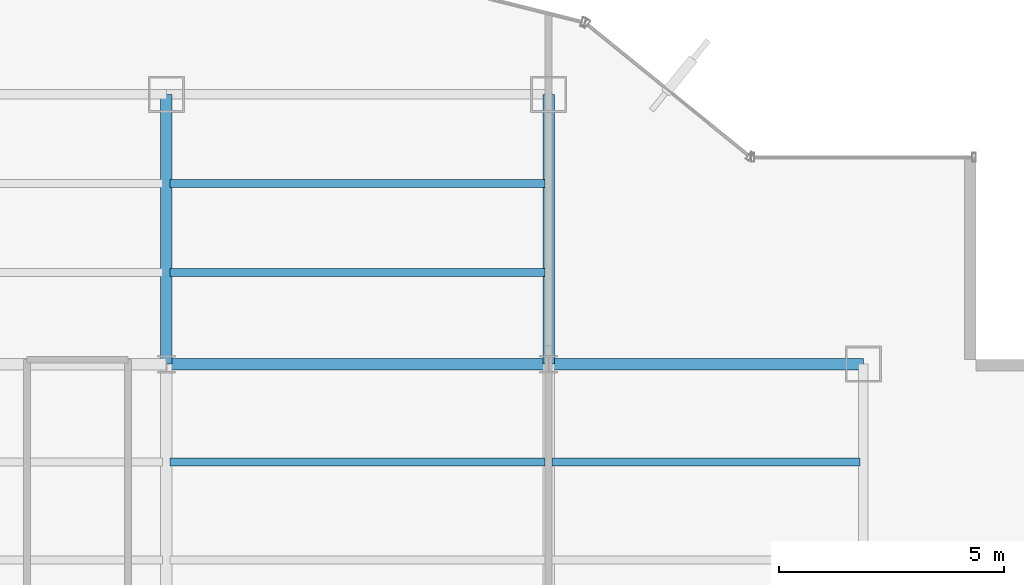
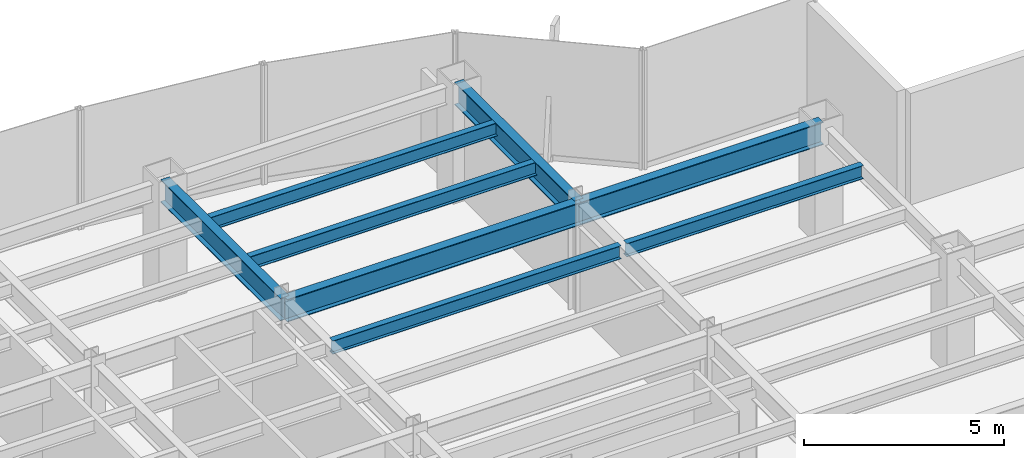
# One storey, part 17 of 26: 8 beams.
"""IFC4 building model written with IfcOpenShell, lengths in metres."""

from ifc_helpers import new_model, si_unit, derived_unit, direction, frame, origin, origin_2d, place, context, subcontext, project, spatial, i_section, extrude, source, transform, mapped, material, material_profile, profile_set, type_object, element, save


model = new_model("IFC4")

# Units and contexts
model_context = context("Model", 3, precision=1e-05, world=origin(), true_north=direction((0.0, 1.0)))
body_context = subcontext(model_context, "Body", "Model", "MODEL_VIEW")
ifc_project = project(units=[si_unit("LENGTHUNIT", "METRE"), si_unit("AREAUNIT", "SQUARE_METRE"), si_unit("VOLUMEUNIT", "CUBIC_METRE"), si_unit("PLANEANGLEUNIT", "RADIAN"), si_unit("MASSUNIT", "GRAM", prefix="KILO"), derived_unit("THERMALTRANSMITTANCEUNIT", [(si_unit("POWERUNIT", "WATT"), 1), (si_unit("LENGTHUNIT", "METRE"), -2), (si_unit("THERMODYNAMICTEMPERATUREUNIT", "KELVIN"), -1)])], contexts=[model_context])

# Site, building, storey
site_placement = place(None, origin())
site = spatial("IfcSite", under=ifc_project, at=site_placement, CompositionType="ELEMENT")
building_placement = place(site_placement, origin())
building = spatial("IfcBuilding", under=site, at=building_placement, Name="Skarnbrae Concourse Arena and Tower", CompositionType="ELEMENT")
storey_placement = place(building_placement, frame((0.0, 0.0, 99.60009765625)))
storey = spatial("IfcBuildingStorey", under=building, at=storey_placement, Name="L24", CompositionType="ELEMENT", Elevation=99.60009765625)

# Beams
ifc_material = material(Name="Steel CSA G40.21 350W", Category="steel")
ifc_material_profile_1 = material_profile(ifc_material, i_section(OverallWidth=0.256103515625, OverallDepth=0.693115234375, WebThickness=0.014404296875, FlangeThickness=0.023681640625, at=origin_2d()), Name="W690X170")
ifc_profile_set_1 = profile_set([ifc_material_profile_1], Name="Steel CSA G40.21 350W")
beam_type_1 = type_object("IfcBeamType", Name="BM-GIRD-W690X170", PredefinedType="BEAM", material=ifc_profile_set_1)
shared_shape_1 = source(origin(), body_context, "Body", "SweptSolid", [
    extrude(i_section(OverallWidth=0.256103515625, OverallDepth=0.693115234375, WebThickness=0.014404296875, FlangeThickness=0.023681640625, at=origin_2d()), origin(), (0.0, 0.0, 1.0), 7.0),
])
beam_1_placement = place(storey_placement, frame((42.0, 34.39990234375, 3.053466796875), z_axis=(1.0, 0.0, 0.0), x_axis=(0.0, 1.0, 0.0)))
element("IfcBeam", 1, at=beam_1_placement, inside=storey, type_object=beam_type_1, Name="L24 Primary E-W girder Y34.4-6", PredefinedType="BEAM", context=body_context, shape_type="MappedRepresentation", body=[
    mapped(shared_shape_1, transform((0.0, 0.0, 0.0))),
])
shared_shape_2 = source(origin(), body_context, "Body", "SweptSolid", [
    extrude(i_section(OverallWidth=0.256103515625, OverallDepth=0.693115234375, WebThickness=0.014404296875, FlangeThickness=0.023681640625, at=origin_2d()), origin(), (0.0, 0.0, 1.0), 8.5),
])
beam_2_placement = place(storey_placement, frame((33.5, 34.39990234375, 3.053466796875), z_axis=(1.0, 0.0, 0.0), x_axis=(0.0, 1.0, 0.0)))
element("IfcBeam", 2, at=beam_2_placement, inside=storey, type_object=beam_type_1, Name="L24 Primary E-W girder Y34.4-5", PredefinedType="BEAM", context=body_context, shape_type="MappedRepresentation", body=[
    mapped(shared_shape_2, transform((0.0, 0.0, 0.0))),
])
shared_shape_3 = source(origin(), body_context, "Body", "SweptSolid", [
    extrude(i_section(OverallWidth=0.256103515625, OverallDepth=0.693115234375, WebThickness=0.014404296875, FlangeThickness=0.023681640625, at=origin_2d()), origin(), (0.0, 0.0, 1.0), 6.0),
])
for number, where, z_axis, x_axis, name in (
    (3, (33.5, 34.39990234375, 3.053466796875), (0.0, 1.0, 0.0), (-1.0, 0.0, 0.0), "L24 Primary N-S girder X33.5-4"),
    (4, (42.0, 34.39990234375, 3.053466796875), (0.0, 1.0, 0.0), (-1.0, 0.0, 0.0), "L24 Primary N-S girder X42.0-5"),
):
    element("IfcBeam", number, at=place(storey_placement, frame(where, z_axis=z_axis, x_axis=x_axis)), inside=storey, type_object=beam_type_1, Name=name, PredefinedType="BEAM", context=body_context, shape_type="MappedRepresentation", body=[
        mapped(shared_shape_3, transform((0.0, 0.0, 0.0))),
    ])
ifc_material_profile_2 = material_profile(ifc_material, i_section(OverallWidth=0.177978515625, OverallDepth=0.406982421875, WebThickness=0.0078125, FlangeThickness=0.0126953125, at=origin_2d()), Name="W410X60")
ifc_profile_set_2 = profile_set([ifc_material_profile_2], Name="Steel CSA G40.21 350W")
beam_type_2 = type_object("IfcBeamType", Name="BM-JOIST-W410X60", PredefinedType="JOIST", material=ifc_profile_set_2)
shared_shape_4 = source(origin(), body_context, "Body", "SweptSolid", [
    extrude(i_section(OverallWidth=0.177978515625, OverallDepth=0.406982421875, WebThickness=0.0078125, FlangeThickness=0.0126953125, at=origin_2d()), origin(), (0.0, 0.0, 1.0), 8.33984375),
])
for number, where, z_axis, x_axis, name in (
    (5, (33.580078125, 32.221923828125, 3.1962890625), (1.0, 0.0, 0.0), (0.0, 1.0, 0.0), "L24 Secondary floor joist 3.2.5"),
    (6, (33.580078125, 36.43994140625, 3.1962890625), (1.0, 0.0, 0.0), (0.0, 1.0, 0.0), "L24 Secondary floor joist 4.1.4"),
    (7, (33.580078125, 38.419921875, 3.1962890625), (1.0, 0.0, 0.0), (0.0, 1.0, 0.0), "L24 Secondary floor joist 4.2.4"),
):
    element("IfcBeam", number, at=place(storey_placement, frame(where, z_axis=z_axis, x_axis=x_axis)), inside=storey, type_object=beam_type_2, Name=name, PredefinedType="JOIST", context=body_context, shape_type="MappedRepresentation", body=[
        mapped(shared_shape_4, transform((0.0, 0.0, 0.0))),
    ])
shared_shape_5 = source(origin(), body_context, "Body", "SweptSolid", [
    extrude(i_section(OverallWidth=0.177978515625, OverallDepth=0.406982421875, WebThickness=0.0078125, FlangeThickness=0.0126953125, at=origin_2d()), origin(), (0.0, 0.0, 1.0), 6.83984375),
])
beam_3_placement = place(storey_placement, frame((42.080078125, 32.221923828125, 3.1962890625), z_axis=(1.0, 0.0, 0.0), x_axis=(0.0, 1.0, 0.0)))
element("IfcBeam", 8, at=beam_3_placement, inside=storey, type_object=beam_type_2, Name="L24 Secondary floor joist 3.2.6", PredefinedType="JOIST", context=body_context, shape_type="MappedRepresentation", body=[
    mapped(shared_shape_5, transform((0.0, 0.0, 0.0))),
])

save(model, "model.ifc")
